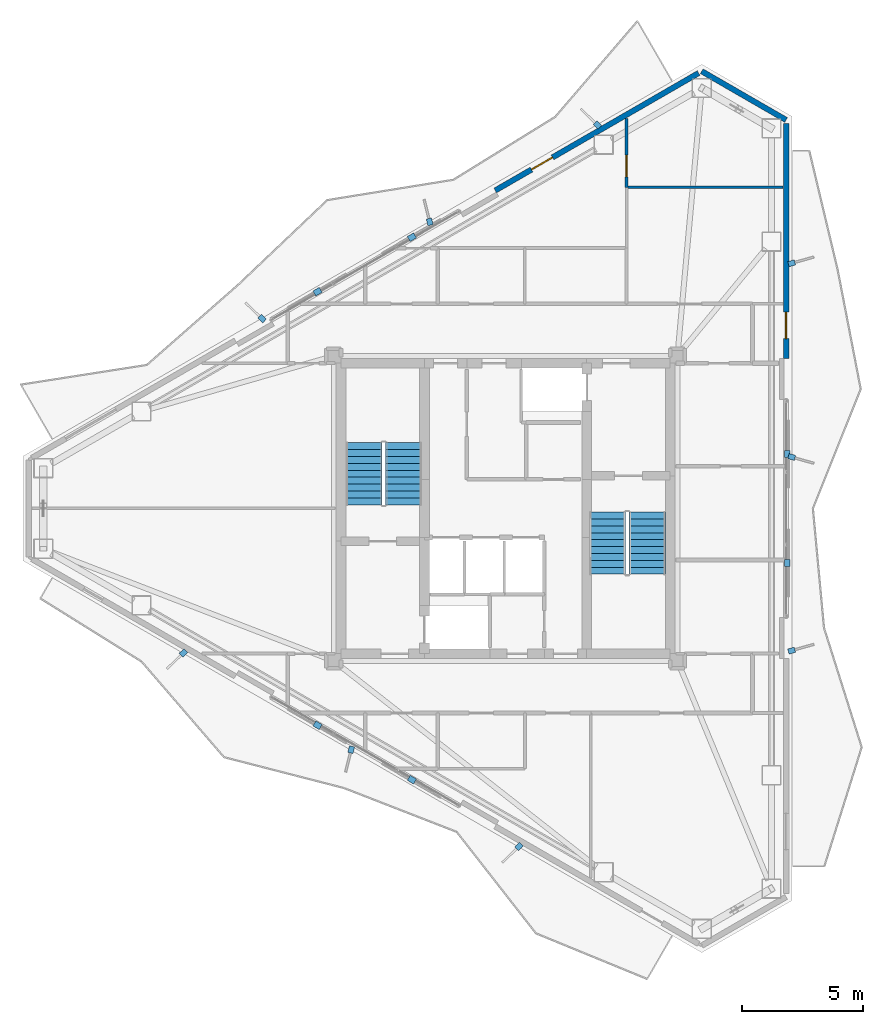
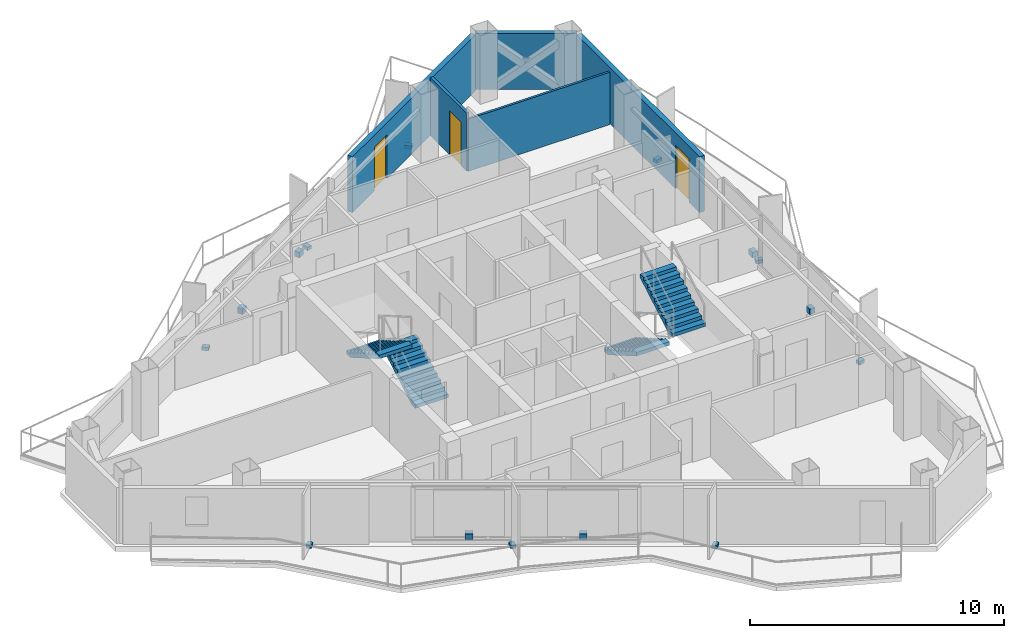
# One storey, part 19 of 21: 15 discrete accessories, 5 walls, 4 stair flights, 3 doors, 3 openings, 2 elements without a shape of their own.
"""IFC4 building model written with IfcOpenShell, lengths in metres."""

from ifc_helpers import new_model, si_unit, direction, frame, frame_2d, origin, origin_2d, place, context, subcontext, project, spatial, polyline, rectangle, outline, extrude, material, layer, layer_set, type_object, element, fill, aggregate, save


model = new_model("IFC4")

# Units and contexts
model_context = context("Model", 3, precision=1e-05, world=origin(), true_north=direction((0.0, 1.0)))
body_context = subcontext(model_context, "Body", "Model", "MODEL_VIEW")
ifc_project = project(units=[si_unit("LENGTHUNIT", "METRE"), si_unit("AREAUNIT", "SQUARE_METRE"), si_unit("VOLUMEUNIT", "CUBIC_METRE"), si_unit("PLANEANGLEUNIT", "RADIAN"), si_unit("MASSUNIT", "GRAM", prefix="KILO")], contexts=[model_context])

# Site, building, storey
site_placement = place(None, origin())
site = spatial("IfcSite", under=ifc_project, at=site_placement, CompositionType="ELEMENT")
building_placement = place(site_placement, origin())
building = spatial("IfcBuilding", under=site, at=building_placement, Name="Mersakhor Tower and Convention Hall", CompositionType="ELEMENT")
storey_placement = place(building_placement, frame((0.0, 0.0, 211.800048828125)))
storey = spatial("IfcBuildingStorey", under=building, at=storey_placement, Name="L59", CompositionType="ELEMENT", Elevation=211.800048828125)

# Wall
ifc_material_1 = material(Name="Precast concrete C40/50", Category="concrete")
ifc_layer_1 = layer(ifc_material_1, 0.22509765625)
ifc_layer_set_1 = layer_set([ifc_layer_1], Name="Precast concrete C40/50")
wall_type_1 = type_object("IfcWallType", Name="WL-EXT-225", PredefinedType="SOLIDWALL", material=ifc_layer_set_1)
wall_1_placement = place(storey_placement, frame((37.10400390625, 44.81005859375, 0.0), z_axis=(0.0, 0.0, 1.0), x_axis=(0.866023907196, -0.500002592159, 0.0)))
element("IfcWall", 1, at=wall_1_placement, inside=storey, type_object=wall_type_1, Name="L59 Chamfer Braced Spandrel Wall C1", PredefinedType="SOLIDWALL", context=body_context, shape_type="SweptSolid", body=[
    extrude(rectangle(XDim=4.0234375, YDim=0.22509765625, at=frame_2d((2.01171875, 0.0))), origin(), (0.0, 0.0, 1.0), 2.68994140625),
])

# Wall, opening, door
wall_2_placement = place(storey_placement, frame((28.57470703125, 39.885498046875, 0.0), z_axis=(0.0, 0.0, 1.0), x_axis=(0.866016233231, 0.500015883528, 0.0)))
wall_2 = element("IfcWall", 2, at=wall_2_placement, inside=storey, type_object=wall_type_1, Name="L59 Exterior Facade Wall F1-B3", PredefinedType="SOLIDWALL", context=body_context, shape_type="SweptSolid", body=[
    extrude(rectangle(XDim=9.698974609375, YDim=0.22509765625, at=frame_2d((4.849609375, 0.0))), origin(), (0.0, 0.0, 1.0), 2.68994140625),
])
opening_1_placement = place(wall_2_placement, frame((1.72998046875, 0.0, 0.0)))
opening_1 = element("IfcOpeningElement", 3, at=opening_1_placement, cuts=wall_2, Name="Opening BD-01", PredefinedType="OPENING", context=body_context, shape_type="SweptSolid", body=[
    extrude(rectangle(XDim=1.0, YDim=2.10009765625, at=frame_2d((0.5, 1.050048828125))), frame((0.0, 0.12255859375, 0.0), z_axis=(0.0, -1.0, 0.0), x_axis=(1.0, 0.0, 0.0)), (0.0, 0.0, 1.0), 0.2451171875),
])
ifc_material_2 = material(Name="Thermally broken dark aluminium and safety glass", Category="aluminium")
door_type_1 = type_object("IfcDoorType", Name="DR-BAL-100x210", OperationType="NOTDEFINED", PredefinedType="DOOR", material=ifc_material_2)
door_1_placement = place(opening_1_placement, origin())
door_1 = element("IfcDoor", 4, at=door_1_placement, inside=storey, type_object=door_type_1, Name="L59 Balcony Terrace Door F1-B3", OperationType="SINGLE_SWING_LEFT", OverallHeight=2.10009765625, OverallWidth=1.0, PredefinedType="DOOR", context=body_context, shape_type="SweptSolid", body=[
    extrude(rectangle(XDim=1.0, YDim=2.10009765625, at=frame_2d((0.5, 1.050048828125))), frame((0.0, 0.02490234375, 0.0), z_axis=(0.0, -1.0, 0.0), x_axis=(1.0, 0.0, 0.0)), (0.0, 0.0, 1.0), 0.050048828125),
])
fill(opening_1, door_1)

wall_3_placement = place(storey_placement, frame((40.58837890625, 42.6484375, 0.0), z_axis=(0.0, 0.0, 1.0), x_axis=(0.0, -1.0, 0.0)))
wall_3 = element("IfcWall", 5, at=wall_3_placement, inside=storey, type_object=wall_type_1, Name="L59 Exterior Facade Wall F2-B1", PredefinedType="SOLIDWALL", context=body_context, shape_type="SweptSolid", body=[
    extrude(rectangle(XDim=9.698974609375, YDim=0.22509765625, at=frame_2d((4.849609375, 0.0))), origin(), (0.0, 0.0, 1.0), 2.68994140625),
])
opening_2_placement = place(wall_3_placement, frame((7.783935546875, 0.0, 0.0)))
opening_2 = element("IfcOpeningElement", 6, at=opening_2_placement, cuts=wall_3, Name="Opening BD-02", PredefinedType="OPENING", context=body_context, shape_type="SweptSolid", body=[
    extrude(rectangle(XDim=1.10009765625, YDim=2.10009765625, at=frame_2d((0.550048828125, 1.050048828125))), frame((0.0, 0.12255859375, 0.0), z_axis=(0.0, -1.0, 0.0), x_axis=(1.0, 0.0, 0.0)), (0.0, 0.0, 1.0), 0.2451171875),
])
ifc_material_3 = material(Name="Thermally broken dark aluminium and safety glass", Category="aluminium")
door_type_2 = type_object("IfcDoorType", Name="DR-BAL-110x210", OperationType="NOTDEFINED", PredefinedType="DOOR", material=ifc_material_3)
door_2_placement = place(opening_2_placement, origin())
door_2 = element("IfcDoor", 7, at=door_2_placement, inside=storey, type_object=door_type_2, Name="L59 Balcony Terrace Door F2-B1", OperationType="SINGLE_SWING_RIGHT", OverallHeight=2.10009765625, OverallWidth=1.10009765625, PredefinedType="DOOR", context=body_context, shape_type="SweptSolid", body=[
    extrude(rectangle(XDim=1.10009765625, YDim=2.10009765625, at=frame_2d((0.550048828125, 1.050048828125))), frame((0.0, 0.02490234375, 0.0), z_axis=(0.0, -1.0, 0.0), x_axis=(1.0, 0.0, 0.0)), (0.0, 0.0, 1.0), 0.050048828125),
])
fill(opening_2, door_2)

# Wall
ifc_material_4 = material(Name="Lightweight gypsum partition", Category="other")
ifc_layer_2 = layer(ifc_material_4, 0.10009765625)
ifc_layer_set_2 = layer_set([ifc_layer_2], Name="Lightweight gypsum partition")
wall_type_2 = type_object("IfcWallType", Name="WL-PRT-100", PredefinedType="PARTITIONING", material=ifc_layer_set_2)
wall_4_placement = place(storey_placement, frame((34.0, 40.010009765625, 0.0), z_axis=(0.0, 0.0, 1.0), x_axis=(1.0, 0.0, 0.0)))
element("IfcWall", 8, at=wall_4_placement, inside=storey, type_object=wall_type_2, Name="L59 Interior Partition Wall P-070", PredefinedType="PARTITIONING", context=body_context, shape_type="SweptSolid", body=[
    extrude(rectangle(XDim=6.451904296875, YDim=0.10009765625, at=frame_2d((3.22607421875, 0.0))), origin(), (0.0, 0.0, 1.0), 2.518310546875),
])

# Wall, opening, door
ifc_material_5 = material(Name="Gypsum board acoustic partition", Category="other")
ifc_layer_3 = layer(ifc_material_5, 0.125)
ifc_layer_set_3 = layer_set([ifc_layer_3], Name="Gypsum board acoustic partition")
wall_type_3 = type_object("IfcWallType", Name="WL-PRT-125", PredefinedType="PARTITIONING", material=ifc_layer_set_3)
wall_5_placement = place(storey_placement, frame((34.0, 42.860107421875, 0.0), z_axis=(0.0, 0.0, 1.0), x_axis=(0.0, -1.0, 0.0)))
wall_5 = element("IfcWall", 9, at=wall_5_placement, inside=storey, type_object=wall_type_3, Name="L59 Interior Partition Wall P-065", PredefinedType="PARTITIONING", context=body_context, shape_type="SweptSolid", body=[
    extrude(rectangle(XDim=2.85009765625, YDim=0.125, at=frame_2d((1.425048828125, 0.0))), origin(), (0.0, 0.0, 1.0), 2.794677734375),
])
opening_3_placement = place(wall_5_placement, frame((1.51220703125, 0.0, 0.0)))
opening_3 = element("IfcOpeningElement", 10, at=opening_3_placement, cuts=wall_5, Name="Opening WD-01", PredefinedType="OPENING", context=body_context, shape_type="SweptSolid", body=[
    extrude(rectangle(XDim=0.89990234375, YDim=2.10009765625, at=frame_2d((0.449951171875, 1.050048828125))), frame((0.0, 0.072509765625, 0.0), z_axis=(0.0, -1.0, 0.0), x_axis=(1.0, 0.0, 0.0)), (0.0, 0.0, 1.0), 0.14501953125),
])
ifc_material_6 = material(Name="Solid-core hardwood leaf in painted steel frame", Category="steel")
door_type_3 = type_object("IfcDoorType", Name="DR-INT-WET-090x210", OperationType="NOTDEFINED", PredefinedType="DOOR", material=ifc_material_6)
door_3_placement = place(opening_3_placement, origin())
door_3 = element("IfcDoor", 11, at=door_3_placement, inside=storey, type_object=door_type_3, Name="L59 L59 Floor Residents Study Room 1-3 to L59 Floor Residents Study Room 1-5 Door", OperationType="SINGLE_SWING_LEFT", OverallHeight=2.10009765625, OverallWidth=0.89990234375, PredefinedType="DOOR", context=body_context, shape_type="SweptSolid", body=[
    extrude(rectangle(XDim=0.89990234375, YDim=2.10009765625, at=frame_2d((0.449951171875, 1.050048828125))), frame((0.0, 0.02490234375, 0.0), z_axis=(0.0, -1.0, 0.0), x_axis=(1.0, 0.0, 0.0)), (0.0, 0.0, 1.0), 0.050048828125),
])
fill(opening_3, door_3)

# Stair, stair flights
ifc_material_7 = material(Name="Concrete C45/55", Category="concrete")
stair_type = type_object("IfcStairType", Name="ST-TWR-20R", PredefinedType="HALF_TURN_STAIR", material=ifc_material_7)
stair_1_placement = place(storey_placement, origin())
stair_1 = element("IfcStair", 12, at=stair_1_placement, inside=storey, type_object=stair_type, Name="L59 Tower Protected Exit Stair ST-1", PredefinedType="HALF_TURN_STAIR")
ifc_material_8 = material(Name="Concrete C45/55", Category="concrete")
stair_flight_type = type_object("IfcStairFlightType", Name="SFL-TWR-20R", PredefinedType="STRAIGHT", material=ifc_material_8)
stair_flight_1_placement = place(storey_placement, frame((24.800048828125, 26.89990234375, 0.0), z_axis=(0.0, 0.0, 1.0), x_axis=(0.0, 1.0, 0.0)))
stair_flight_1 = element("IfcStairFlight", 13, at=stair_flight_1_placement, type_object=stair_flight_type, Name="ST-1 flight 1", NumberOfRisers=10, NumberOfTreads=9, PredefinedType="STRAIGHT", RiserHeight=0.165, TreadLength=0.285, context=body_context, shape_type="SweptSolid", body=[
    extrude(outline(polyline([(0.0, 0.0), (0.0, 0.1650390625), (0.284912109375, 0.1650390625), (0.284912109375, 0.330078125), (0.570068359375, 0.330078125), (0.570068359375, 0.4951171875), (0.85498046875, 0.4951171875), (0.85498046875, 0.659912109375), (1.139892578125, 0.659912109375), (1.139892578125, 0.824951171875), (1.425048828125, 0.824951171875), (1.425048828125, 0.989990234375), (1.7099609375, 0.989990234375), (1.7099609375, 1.155029296875), (1.9951171875, 1.155029296875), (1.9951171875, 1.320068359375), (2.280029296875, 1.320068359375), (2.280029296875, 1.485107421875), (2.56494140625, 1.485107421875), (2.56494140625, 1.64990234375), (2.56494140625, 1.311767578125), (0.299072265625, 0.0), (0.0, 0.0)])), frame((0.0, 0.75, 0.0), z_axis=(0.0, -1.0, 0.0), x_axis=(1.0, 0.0, 0.0)), (0.0, 0.0, 1.0), 1.5),
])
stair_flight_2_placement = place(storey_placement, frame((23.14990234375, 29.465087890625, 1.64990234375), z_axis=(0.0, 0.0, 1.0), x_axis=(0.0, -1.0, 0.0)))
stair_flight_2 = element("IfcStairFlight", 14, at=stair_flight_2_placement, type_object=stair_flight_type, Name="ST-1 flight 2", NumberOfRisers=10, NumberOfTreads=9, PredefinedType="STRAIGHT", RiserHeight=0.165, TreadLength=0.285, context=body_context, shape_type="SweptSolid", body=[
    extrude(outline(polyline([(0.0, 0.0), (0.0, 0.1650390625), (0.284912109375, 0.1650390625), (0.284912109375, 0.330078125), (0.570068359375, 0.330078125), (0.570068359375, 0.4951171875), (0.85498046875, 0.4951171875), (0.85498046875, 0.659912109375), (1.139892578125, 0.659912109375), (1.139892578125, 0.824951171875), (1.425048828125, 0.824951171875), (1.425048828125, 0.989990234375), (1.7099609375, 0.989990234375), (1.7099609375, 1.155029296875), (1.9951171875, 1.155029296875), (1.9951171875, 1.320068359375), (2.280029296875, 1.320068359375), (2.280029296875, 1.485107421875), (2.56494140625, 1.485107421875), (2.56494140625, 1.64990234375), (2.56494140625, 1.311767578125), (0.299072265625, 0.0), (0.0, 0.0)])), frame((0.0, 0.75, 0.0), z_axis=(0.0, -1.0, 0.0), x_axis=(1.0, 0.0, 0.0)), (0.0, 0.0, 1.0), 1.5),
])
aggregate(stair_1, [stair_flight_1, stair_flight_2])

stair_2_placement = place(storey_placement, origin())
stair_2 = element("IfcStair", 15, at=stair_2_placement, inside=storey, type_object=stair_type, Name="L59 Tower Protected Exit Stair ST-2", PredefinedType="HALF_TURN_STAIR")
stair_flight_3_placement = place(storey_placement, frame((33.199951171875, 26.60009765625, 0.0), z_axis=(0.0, 0.0, 1.0), x_axis=(0.0, -1.0, 0.0)))
stair_flight_3 = element("IfcStairFlight", 16, at=stair_flight_3_placement, type_object=stair_flight_type, Name="ST-2 flight 1", NumberOfRisers=10, NumberOfTreads=9, PredefinedType="STRAIGHT", RiserHeight=0.165, TreadLength=0.285, context=body_context, shape_type="SweptSolid", body=[
    extrude(outline(polyline([(0.0, 0.0), (0.0, 0.1650390625), (0.284912109375, 0.1650390625), (0.284912109375, 0.330078125), (0.570068359375, 0.330078125), (0.570068359375, 0.4951171875), (0.85498046875, 0.4951171875), (0.85498046875, 0.659912109375), (1.139892578125, 0.659912109375), (1.139892578125, 0.824951171875), (1.425048828125, 0.824951171875), (1.425048828125, 0.989990234375), (1.7099609375, 0.989990234375), (1.7099609375, 1.155029296875), (1.9951171875, 1.155029296875), (1.9951171875, 1.320068359375), (2.280029296875, 1.320068359375), (2.280029296875, 1.485107421875), (2.56494140625, 1.485107421875), (2.56494140625, 1.64990234375), (2.56494140625, 1.311767578125), (0.299072265625, 0.0), (0.0, 0.0)])), frame((0.0, 0.75, 0.0), z_axis=(0.0, -1.0, 0.0), x_axis=(1.0, 0.0, 0.0)), (0.0, 0.0, 1.0), 1.5),
])
stair_flight_4_placement = place(storey_placement, frame((34.85009765625, 24.034912109375, 1.64990234375), z_axis=(0.0, 0.0, 1.0), x_axis=(0.0, 1.0, 0.0)))
stair_flight_4 = element("IfcStairFlight", 17, at=stair_flight_4_placement, type_object=stair_flight_type, Name="ST-2 flight 2", NumberOfRisers=10, NumberOfTreads=9, PredefinedType="STRAIGHT", RiserHeight=0.165, TreadLength=0.285, context=body_context, shape_type="SweptSolid", body=[
    extrude(outline(polyline([(0.0, 0.0), (0.0, 0.1650390625), (0.284912109375, 0.1650390625), (0.284912109375, 0.330078125), (0.570068359375, 0.330078125), (0.570068359375, 0.4951171875), (0.85498046875, 0.4951171875), (0.85498046875, 0.659912109375), (1.139892578125, 0.659912109375), (1.139892578125, 0.824951171875), (1.425048828125, 0.824951171875), (1.425048828125, 0.989990234375), (1.7099609375, 0.989990234375), (1.7099609375, 1.155029296875), (1.9951171875, 1.155029296875), (1.9951171875, 1.320068359375), (2.280029296875, 1.320068359375), (2.280029296875, 1.485107421875), (2.56494140625, 1.485107421875), (2.56494140625, 1.64990234375), (2.56494140625, 1.311767578125), (0.299072265625, 0.0), (0.0, 0.0)])), frame((0.0, 0.75, 0.0), z_axis=(0.0, -1.0, 0.0), x_axis=(1.0, 0.0, 0.0)), (0.0, 0.0, 1.0), 1.5),
])
aggregate(stair_2, [stair_flight_3, stair_flight_4])

# Discrete accessories
ifc_material_9 = material(Name="Galvanised steel bracket", Category="steel")
ifc_layer_4 = layer(ifc_material_9, 0.02001953125)
ifc_layer_set_4 = layer_set([ifc_layer_4], Name="Galvanised steel bracket")
discrete_accessory_type = type_object("IfcDiscreteAccessoryType", Name="ACC-BRK-STL", PredefinedType="BRACKET", material=ifc_layer_set_4)
for number, where, z_axis, x_axis, name in (
    (18, (21.232421875, 35.704345703125, 0.2900390625), (0.0, 0.0, 1.0), (0.866025403784, 0.5, 0.0), "L59 Solar Screen Outrigger Bracket BRK-1-1"),
    (19, (25.129150390625, 37.9541015625, 0.2900390625), (0.0, 0.0, 1.0), (0.866025403784, 0.5, 0.0), "L59 Solar Screen Outrigger Bracket BRK-1-2"),
):
    element("IfcDiscreteAccessory", number, at=place(storey_placement, frame(where, z_axis=z_axis, x_axis=x_axis)), inside=storey, type_object=discrete_accessory_type, Name=name, PredefinedType="BRACKET", context=body_context, shape_type="SweptSolid", body=[
        extrude(rectangle(XDim=0.300048828125, YDim=0.239990234375, at=origin_2d()), origin(), (0.0, 0.0, 1.0), 0.260009765625),
    ])
for number, where, z_axis, x_axis, name in (
    (20, (18.940185546875, 34.588623046875, -0.02001953125), (0.0, 0.0, 1.0), (-0.719339800339, 0.694658370459, 0.0), "L59 Facade Fin Base Cleat Bracket FBRK-1-1"),
    (21, (25.868408203125, 38.588623046875, -0.02001953125), (0.0, 0.0, 1.0), (-0.2419218956, 0.970295726276, 0.0), "L59 Facade Fin Base Cleat Bracket FBRK-1-2"),
    (22, (32.796630859375, 42.588623046875, -0.02001953125), (0.0, 0.0, 1.0), (-0.719339800339, 0.694658370459, 0.0), "L59 Facade Fin Base Cleat Bracket FBRK-1-3"),
):
    element("IfcDiscreteAccessory", number, at=place(storey_placement, frame(where, z_axis=z_axis, x_axis=x_axis)), inside=storey, type_object=discrete_accessory_type, Name=name, PredefinedType="BRACKET", context=body_context, shape_type="SweptSolid", body=[
        extrude(rectangle(XDim=0.280029296875, YDim=0.219970703125, at=origin_2d()), origin(), (0.0, 0.0, 1.0), 0.159912109375),
    ])
for number, where, z_axis, x_axis, name in (
    (23, (40.638427734375, 28.999755859375, 0.2900390625), (0.0, 0.0, 1.0), (0.0, -1.0, 0.0), "L59 Solar Screen Outrigger Bracket BRK-2-1"),
    (24, (40.638427734375, 24.500244140625, 0.2900390625), (0.0, 0.0, 1.0), (0.0, -1.0, 0.0), "L59 Solar Screen Outrigger Bracket BRK-2-2"),
):
    element("IfcDiscreteAccessory", number, at=place(storey_placement, frame(where, z_axis=z_axis, x_axis=x_axis)), inside=storey, type_object=discrete_accessory_type, Name=name, PredefinedType="BRACKET", context=body_context, shape_type="SweptSolid", body=[
        extrude(rectangle(XDim=0.300048828125, YDim=0.239990234375, at=origin_2d()), origin(), (0.0, 0.0, 1.0), 0.260009765625),
    ])
for number, where, z_axis, x_axis, name in (
    (25, (40.818359375, 36.8759765625, -0.02001953125), (0.0, 0.0, 1.0), (0.961261695938, 0.275637355817, 0.0), "L59 Facade Fin Base Cleat Bracket FBRK-2-1"),
    (26, (40.818359375, 28.8759765625, -0.02001953125), (0.0, 0.0, 1.0), (0.961261695938, -0.275637355817, 0.0), "L59 Facade Fin Base Cleat Bracket FBRK-2-2"),
    (27, (40.818359375, 20.8759765625, -0.02001953125), (0.0, 0.0, 1.0), (0.961261695938, 0.275637355817, 0.0), "L59 Facade Fin Base Cleat Bracket FBRK-2-3"),
):
    element("IfcDiscreteAccessory", number, at=place(storey_placement, frame(where, z_axis=z_axis, x_axis=x_axis)), inside=storey, type_object=discrete_accessory_type, Name=name, PredefinedType="BRACKET", context=body_context, shape_type="SweptSolid", body=[
        extrude(rectangle(XDim=0.280029296875, YDim=0.219970703125, at=origin_2d()), origin(), (0.0, 0.0, 1.0), 0.159912109375),
    ])
for number, where, z_axis, x_axis, name in (
    (28, (25.129150390625, 15.5458984375, 0.2900390625), (0.0, 0.0, 1.0), (-0.866025403784, 0.5, 0.0), "L59 Solar Screen Outrigger Bracket BRK-3-1"),
    (29, (21.232421875, 17.795654296875, 0.2900390625), (0.0, 0.0, 1.0), (-0.866025403784, 0.5, 0.0), "L59 Solar Screen Outrigger Bracket BRK-3-2"),
):
    element("IfcDiscreteAccessory", number, at=place(storey_placement, frame(where, z_axis=z_axis, x_axis=x_axis)), inside=storey, type_object=discrete_accessory_type, Name=name, PredefinedType="BRACKET", context=body_context, shape_type="SweptSolid", body=[
        extrude(rectangle(XDim=0.300048828125, YDim=0.239990234375, at=origin_2d()), origin(), (0.0, 0.0, 1.0), 0.260009765625),
    ])
for number, where, z_axis, x_axis, name in (
    (30, (29.55078125, 12.785400390625, -0.02001953125), (0.0, 0.0, 1.0), (-0.719339800339, -0.694658370459, 0.0), "L59 Facade Fin Base Cleat Bracket FBRK-3-1"),
    (31, (22.62255859375, 16.785400390625, -0.02001953125), (0.0, 0.0, 1.0), (-0.2419218956, -0.970295726276, 0.0), "L59 Facade Fin Base Cleat Bracket FBRK-3-2"),
    (32, (15.6943359375, 20.785400390625, -0.02001953125), (0.0, 0.0, 1.0), (-0.719339800339, -0.694658370459, 0.0), "L59 Facade Fin Base Cleat Bracket FBRK-3-3"),
):
    element("IfcDiscreteAccessory", number, at=place(storey_placement, frame(where, z_axis=z_axis, x_axis=x_axis)), inside=storey, type_object=discrete_accessory_type, Name=name, PredefinedType="BRACKET", context=body_context, shape_type="SweptSolid", body=[
        extrude(rectangle(XDim=0.280029296875, YDim=0.219970703125, at=origin_2d()), origin(), (0.0, 0.0, 1.0), 0.159912109375),
    ])

save(model, "model.ifc")
